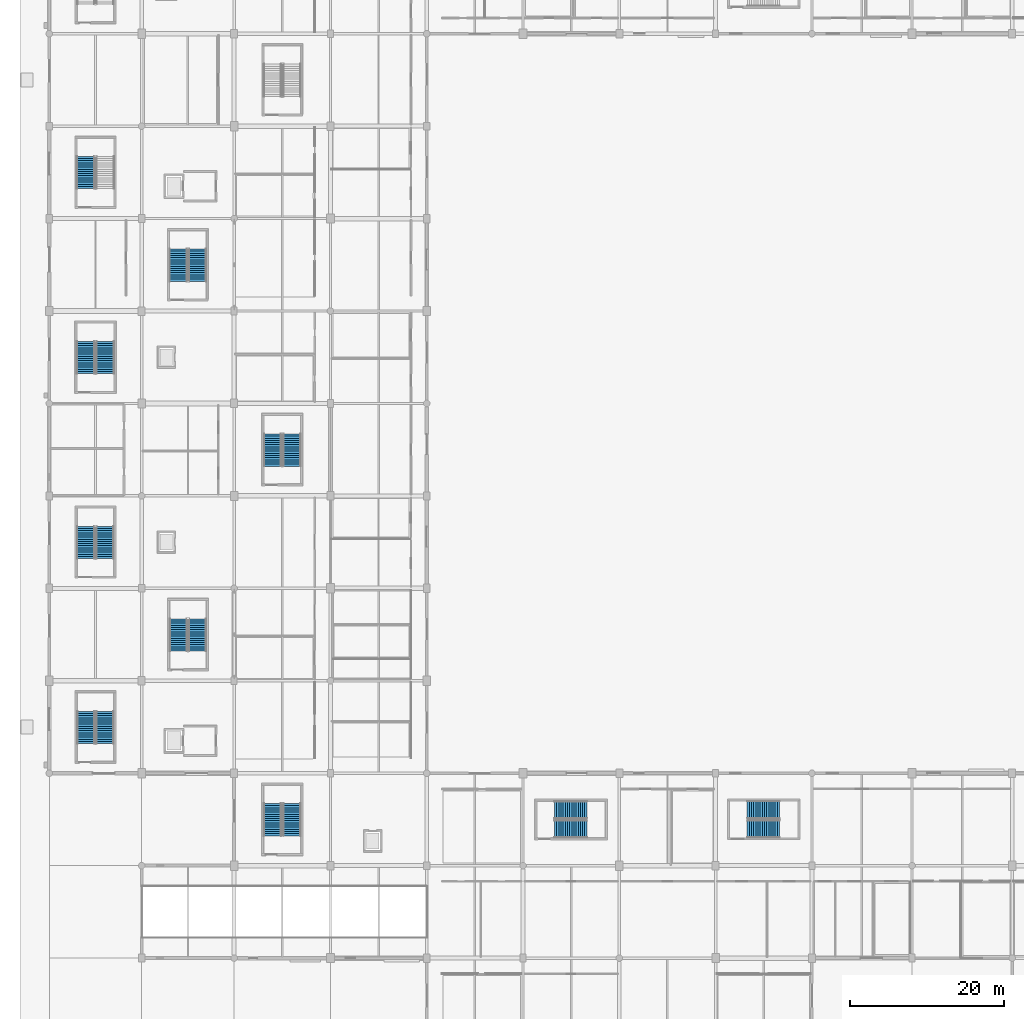
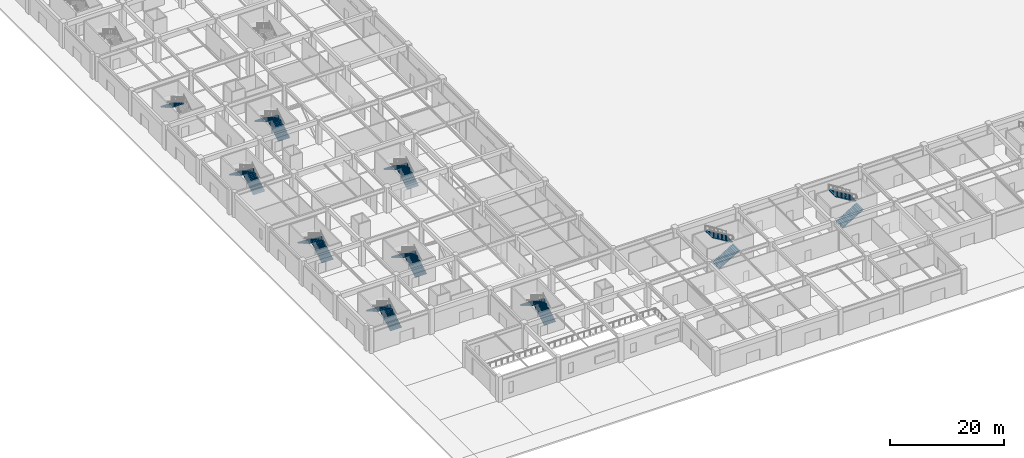
# One storey, part 35 of 69: 19 stair flights, 10 elements without a shape of their own.
"""IFC4 building model written with IfcOpenShell, lengths in metres."""

from ifc_helpers import new_model, si_unit, direction, frame, origin, place, context, subcontext, project, spatial, polyline, outline, extrude, material, type_object, element, aggregate, save


model = new_model("IFC4")

# Units and contexts
model_context = context("Model", 3, precision=1e-05, world=origin(), true_north=direction((0.0, 1.0)))
body_context = subcontext(model_context, "Body", "Model", "MODEL_VIEW")
ifc_project = project(units=[si_unit("LENGTHUNIT", "METRE"), si_unit("AREAUNIT", "SQUARE_METRE"), si_unit("VOLUMEUNIT", "CUBIC_METRE"), si_unit("PLANEANGLEUNIT", "RADIAN"), si_unit("MASSUNIT", "GRAM", prefix="KILO")], contexts=[model_context])

# Site, building, storey
site_placement = place(None, origin())
site = spatial("IfcSite", under=ifc_project, at=site_placement, CompositionType="ELEMENT")
building_placement = place(site_placement, origin())
building = spatial("IfcBuilding", under=site, at=building_placement, Name="Kazenohara Klinker Stadium", CompositionType="ELEMENT")
storey_placement = place(building_placement, origin())
storey = spatial("IfcBuildingStorey", under=building, at=storey_placement, Name="L00", CompositionType="ELEMENT", Elevation=0.0)

# Stair, stair flights
ifc_material = material(Name="Concrete C40/50", Category="concrete")
stair_type_1 = type_object("IfcStairType", Name="STR-DL-2300", PredefinedType="HALF_TURN_STAIR", material=ifc_material)
stair_1_placement = place(storey_placement, origin())
stair_1 = element("IfcStair", 1, at=stair_1_placement, inside=storey, type_object=stair_type_1, Name="L00 Enclosed escape stair ST01", PredefinedType="HALF_TURN_STAIR")
stair_flight_type_1 = type_object("IfcStairFlightType", Name="FLT-DL-2300-5400", PredefinedType="STRAIGHT", material=ifc_material)
stair_flight_1_placement = place(storey_placement, frame((7.25, 39.840087890625, 0.0), z_axis=(0.0, 0.0, 1.0), x_axis=(0.0, 1.0, 0.0)))
stair_flight_1 = element("IfcStairFlight", 2, at=stair_flight_1_placement, type_object=stair_flight_type_1, Name="ST01 flight 1", NumberOfRisers=16, NumberOfTreads=15, PredefinedType="STRAIGHT", RiserHeight=0.16875, TreadLength=0.28, context=body_context, shape_type="SweptSolid", body=[
    extrude(outline(polyline([(0.0, 0.0), (0.0, 0.168701171875), (0.280029296875, 0.168701171875), (0.280029296875, 0.33740234375), (0.56005859375, 0.33740234375), (0.56005859375, 0.50634765625), (0.840087890625, 0.50634765625), (0.840087890625, 0.675048828125), (1.1201171875, 0.675048828125), (1.1201171875, 0.84375), (1.39990234375, 0.84375), (1.39990234375, 1.012451171875), (1.679931640625, 1.012451171875), (1.679931640625, 1.18115234375), (1.9599609375, 1.18115234375), (1.9599609375, 1.35009765625), (2.239990234375, 1.35009765625), (2.239990234375, 1.518798828125), (2.52001953125, 1.518798828125), (2.52001953125, 1.6875), (2.800048828125, 1.6875), (2.800048828125, 1.856201171875), (3.080078125, 1.856201171875), (3.080078125, 2.02490234375), (3.360107421875, 2.02490234375), (3.360107421875, 2.19384765625), (3.639892578125, 2.19384765625), (3.639892578125, 2.362548828125), (3.919921875, 2.362548828125), (3.919921875, 2.53125), (4.199951171875, 2.53125), (4.199951171875, 2.699951171875), (4.199951171875, 2.356201171875), (0.29052734375, 0.0), (0.0, 0.0)])), frame((0.0, 1.14990234375, 0.0), z_axis=(0.0, -1.0, 0.0), x_axis=(1.0, 0.0, 0.0)), (0.0, 0.0, 1.0), 2.300048828125),
])
stair_flight_2_placement = place(storey_placement, frame((4.75, 44.0400390625, 2.699951171875), z_axis=(0.0, 0.0, 1.0), x_axis=(0.0, -1.0, 0.0)))
stair_flight_2 = element("IfcStairFlight", 3, at=stair_flight_2_placement, type_object=stair_flight_type_1, Name="ST01 flight 2", NumberOfRisers=16, NumberOfTreads=15, PredefinedType="STRAIGHT", RiserHeight=0.16875, TreadLength=0.28, context=body_context, shape_type="SweptSolid", body=[
    extrude(outline(polyline([(0.0, 0.0), (0.0, 0.168701171875), (0.280029296875, 0.168701171875), (0.280029296875, 0.33740234375), (0.56005859375, 0.33740234375), (0.56005859375, 0.50634765625), (0.840087890625, 0.50634765625), (0.840087890625, 0.675048828125), (1.1201171875, 0.675048828125), (1.1201171875, 0.84375), (1.39990234375, 0.84375), (1.39990234375, 1.012451171875), (1.679931640625, 1.012451171875), (1.679931640625, 1.18115234375), (1.9599609375, 1.18115234375), (1.9599609375, 1.35009765625), (2.239990234375, 1.35009765625), (2.239990234375, 1.518798828125), (2.52001953125, 1.518798828125), (2.52001953125, 1.6875), (2.800048828125, 1.6875), (2.800048828125, 1.856201171875), (3.080078125, 1.856201171875), (3.080078125, 2.02490234375), (3.360107421875, 2.02490234375), (3.360107421875, 2.19384765625), (3.639892578125, 2.19384765625), (3.639892578125, 2.362548828125), (3.919921875, 2.362548828125), (3.919921875, 2.53125), (4.199951171875, 2.53125), (4.199951171875, 2.699951171875), (4.199951171875, 2.356201171875), (0.29052734375, 0.0), (0.0, 0.0)])), frame((0.0, 1.14990234375, 0.0), z_axis=(0.0, -1.0, 0.0), x_axis=(1.0, 0.0, 0.0)), (0.0, 0.0, 1.0), 2.300048828125),
])
aggregate(stair_1, [stair_flight_1, stair_flight_2])

stair_2_placement = place(storey_placement, origin())
stair_2 = element("IfcStair", 4, at=stair_2_placement, inside=storey, type_object=stair_type_1, Name="L00 Enclosed escape stair ST13", PredefinedType="HALF_TURN_STAIR")
stair_flight_3_placement = place(storey_placement, frame((19.25, 51.840087890625, 0.0), z_axis=(0.0, 0.0, 1.0), x_axis=(0.0, 1.0, 0.0)))
stair_flight_3 = element("IfcStairFlight", 5, at=stair_flight_3_placement, type_object=stair_flight_type_1, Name="ST13 flight 1", NumberOfRisers=16, NumberOfTreads=15, PredefinedType="STRAIGHT", RiserHeight=0.16875, TreadLength=0.28, context=body_context, shape_type="SweptSolid", body=[
    extrude(outline(polyline([(0.0, 0.0), (0.0, 0.168701171875), (0.280029296875, 0.168701171875), (0.280029296875, 0.33740234375), (0.56005859375, 0.33740234375), (0.56005859375, 0.50634765625), (0.840087890625, 0.50634765625), (0.840087890625, 0.675048828125), (1.1201171875, 0.675048828125), (1.1201171875, 0.84375), (1.39990234375, 0.84375), (1.39990234375, 1.012451171875), (1.679931640625, 1.012451171875), (1.679931640625, 1.18115234375), (1.9599609375, 1.18115234375), (1.9599609375, 1.35009765625), (2.239990234375, 1.35009765625), (2.239990234375, 1.518798828125), (2.52001953125, 1.518798828125), (2.52001953125, 1.6875), (2.800048828125, 1.6875), (2.800048828125, 1.856201171875), (3.080078125, 1.856201171875), (3.080078125, 2.02490234375), (3.360107421875, 2.02490234375), (3.360107421875, 2.19384765625), (3.639892578125, 2.19384765625), (3.639892578125, 2.362548828125), (3.919921875, 2.362548828125), (3.919921875, 2.53125), (4.199951171875, 2.53125), (4.199951171875, 2.699951171875), (4.199951171875, 2.356201171875), (0.29052734375, 0.0), (0.0, 0.0)])), frame((0.0, 1.14990234375, 0.0), z_axis=(0.0, -1.0, 0.0), x_axis=(1.0, 0.0, 0.0)), (0.0, 0.0, 1.0), 2.300048828125),
])
stair_flight_4_placement = place(storey_placement, frame((16.75, 56.0400390625, 2.699951171875), z_axis=(0.0, 0.0, 1.0), x_axis=(0.0, -1.0, 0.0)))
stair_flight_4 = element("IfcStairFlight", 6, at=stair_flight_4_placement, type_object=stair_flight_type_1, Name="ST13 flight 2", NumberOfRisers=16, NumberOfTreads=15, PredefinedType="STRAIGHT", RiserHeight=0.16875, TreadLength=0.28, context=body_context, shape_type="SweptSolid", body=[
    extrude(outline(polyline([(0.0, 0.0), (0.0, 0.168701171875), (0.280029296875, 0.168701171875), (0.280029296875, 0.33740234375), (0.56005859375, 0.33740234375), (0.56005859375, 0.50634765625), (0.840087890625, 0.50634765625), (0.840087890625, 0.675048828125), (1.1201171875, 0.675048828125), (1.1201171875, 0.84375), (1.39990234375, 0.84375), (1.39990234375, 1.012451171875), (1.679931640625, 1.012451171875), (1.679931640625, 1.18115234375), (1.9599609375, 1.18115234375), (1.9599609375, 1.35009765625), (2.239990234375, 1.35009765625), (2.239990234375, 1.518798828125), (2.52001953125, 1.518798828125), (2.52001953125, 1.6875), (2.800048828125, 1.6875), (2.800048828125, 1.856201171875), (3.080078125, 1.856201171875), (3.080078125, 2.02490234375), (3.360107421875, 2.02490234375), (3.360107421875, 2.19384765625), (3.639892578125, 2.19384765625), (3.639892578125, 2.362548828125), (3.919921875, 2.362548828125), (3.919921875, 2.53125), (4.199951171875, 2.53125), (4.199951171875, 2.699951171875), (4.199951171875, 2.356201171875), (0.29052734375, 0.0), (0.0, 0.0)])), frame((0.0, 1.14990234375, 0.0), z_axis=(0.0, -1.0, 0.0), x_axis=(1.0, 0.0, 0.0)), (0.0, 0.0, 1.0), 2.300048828125),
])
aggregate(stair_2, [stair_flight_3, stair_flight_4])

stair_3_placement = place(storey_placement, origin())
stair_3 = element("IfcStair", 7, at=stair_3_placement, inside=storey, type_object=stair_type_1, Name="L00 Enclosed escape stair ST17", PredefinedType="HALF_TURN_STAIR")
stair_flight_5_placement = place(storey_placement, frame((31.5, 75.840087890625, 0.0), z_axis=(0.0, 0.0, 1.0), x_axis=(0.0, 1.0, 0.0)))
stair_flight_5 = element("IfcStairFlight", 8, at=stair_flight_5_placement, type_object=stair_flight_type_1, Name="ST17 flight 1", NumberOfRisers=16, NumberOfTreads=15, PredefinedType="STRAIGHT", RiserHeight=0.16875, TreadLength=0.28, context=body_context, shape_type="SweptSolid", body=[
    extrude(outline(polyline([(0.0, 0.0), (0.0, 0.168701171875), (0.280029296875, 0.168701171875), (0.280029296875, 0.33740234375), (0.56005859375, 0.33740234375), (0.56005859375, 0.50634765625), (0.840087890625, 0.50634765625), (0.840087890625, 0.675048828125), (1.1201171875, 0.675048828125), (1.1201171875, 0.84375), (1.39990234375, 0.84375), (1.39990234375, 1.012451171875), (1.679931640625, 1.012451171875), (1.679931640625, 1.18115234375), (1.9599609375, 1.18115234375), (1.9599609375, 1.35009765625), (2.239990234375, 1.35009765625), (2.239990234375, 1.518798828125), (2.52001953125, 1.518798828125), (2.52001953125, 1.6875), (2.800048828125, 1.6875), (2.800048828125, 1.856201171875), (3.080078125, 1.856201171875), (3.080078125, 2.02490234375), (3.360107421875, 2.02490234375), (3.360107421875, 2.19384765625), (3.639892578125, 2.19384765625), (3.639892578125, 2.362548828125), (3.919921875, 2.362548828125), (3.919921875, 2.53125), (4.199951171875, 2.53125), (4.199951171875, 2.699951171875), (4.199951171875, 2.356201171875), (0.29052734375, 0.0), (0.0, 0.0)])), frame((0.0, 1.14990234375, 0.0), z_axis=(0.0, -1.0, 0.0), x_axis=(1.0, 0.0, 0.0)), (0.0, 0.0, 1.0), 2.300048828125),
])
stair_flight_6_placement = place(storey_placement, frame((29.0, 80.0400390625, 2.699951171875), z_axis=(0.0, 0.0, 1.0), x_axis=(0.0, -1.0, 0.0)))
stair_flight_6 = element("IfcStairFlight", 9, at=stair_flight_6_placement, type_object=stair_flight_type_1, Name="ST17 flight 2", NumberOfRisers=16, NumberOfTreads=15, PredefinedType="STRAIGHT", RiserHeight=0.16875, TreadLength=0.28, context=body_context, shape_type="SweptSolid", body=[
    extrude(outline(polyline([(0.0, 0.0), (0.0, 0.168701171875), (0.280029296875, 0.168701171875), (0.280029296875, 0.33740234375), (0.56005859375, 0.33740234375), (0.56005859375, 0.50634765625), (0.840087890625, 0.50634765625), (0.840087890625, 0.675048828125), (1.1201171875, 0.675048828125), (1.1201171875, 0.84375), (1.39990234375, 0.84375), (1.39990234375, 1.012451171875), (1.679931640625, 1.012451171875), (1.679931640625, 1.18115234375), (1.9599609375, 1.18115234375), (1.9599609375, 1.35009765625), (2.239990234375, 1.35009765625), (2.239990234375, 1.518798828125), (2.52001953125, 1.518798828125), (2.52001953125, 1.6875), (2.800048828125, 1.6875), (2.800048828125, 1.856201171875), (3.080078125, 1.856201171875), (3.080078125, 2.02490234375), (3.360107421875, 2.02490234375), (3.360107421875, 2.19384765625), (3.639892578125, 2.19384765625), (3.639892578125, 2.362548828125), (3.919921875, 2.362548828125), (3.919921875, 2.53125), (4.199951171875, 2.53125), (4.199951171875, 2.699951171875), (4.199951171875, 2.356201171875), (0.29052734375, 0.0), (0.0, 0.0)])), frame((0.0, 1.14990234375, 0.0), z_axis=(0.0, -1.0, 0.0), x_axis=(1.0, 0.0, 0.0)), (0.0, 0.0, 1.0), 2.300048828125),
])
aggregate(stair_3, [stair_flight_5, stair_flight_6])

stair_4_placement = place(storey_placement, origin())
stair_4 = element("IfcStair", 10, at=stair_4_placement, inside=storey, type_object=stair_type_1, Name="L00 Enclosed escape stair ST25", PredefinedType="HALF_TURN_STAIR")
stair_flight_7_placement = place(storey_placement, frame((65.590087890625, 28.75, 0.0), z_axis=(0.0, 0.0, 1.0), x_axis=(1.0, 0.0, 0.0)))
stair_flight_7 = element("IfcStairFlight", 11, at=stair_flight_7_placement, type_object=stair_flight_type_1, Name="ST25 flight 1", NumberOfRisers=16, NumberOfTreads=15, PredefinedType="STRAIGHT", RiserHeight=0.16875, TreadLength=0.28, context=body_context, shape_type="SweptSolid", body=[
    extrude(outline(polyline([(0.0, 0.0), (0.0, 0.168701171875), (0.280029296875, 0.168701171875), (0.280029296875, 0.33740234375), (0.56005859375, 0.33740234375), (0.56005859375, 0.50634765625), (0.840087890625, 0.50634765625), (0.840087890625, 0.675048828125), (1.1201171875, 0.675048828125), (1.1201171875, 0.84375), (1.39990234375, 0.84375), (1.39990234375, 1.012451171875), (1.679931640625, 1.012451171875), (1.679931640625, 1.18115234375), (1.9599609375, 1.18115234375), (1.9599609375, 1.35009765625), (2.239990234375, 1.35009765625), (2.239990234375, 1.518798828125), (2.52001953125, 1.518798828125), (2.52001953125, 1.6875), (2.800048828125, 1.6875), (2.800048828125, 1.856201171875), (3.080078125, 1.856201171875), (3.080078125, 2.02490234375), (3.360107421875, 2.02490234375), (3.360107421875, 2.19384765625), (3.639892578125, 2.19384765625), (3.639892578125, 2.362548828125), (3.919921875, 2.362548828125), (3.919921875, 2.53125), (4.199951171875, 2.53125), (4.199951171875, 2.699951171875), (4.199951171875, 2.356201171875), (0.29052734375, 0.0), (0.0, 0.0)])), frame((0.0, 1.14990234375, 0.0), z_axis=(0.0, -1.0, 0.0), x_axis=(1.0, 0.0, 0.0)), (0.0, 0.0, 1.0), 2.300048828125),
])
stair_flight_8_placement = place(storey_placement, frame((69.7900390625, 31.25, 2.699951171875), z_axis=(0.0, 0.0, 1.0), x_axis=(-1.0, 0.0, 0.0)))
stair_flight_8 = element("IfcStairFlight", 12, at=stair_flight_8_placement, type_object=stair_flight_type_1, Name="ST25 flight 2", NumberOfRisers=16, NumberOfTreads=15, PredefinedType="STRAIGHT", RiserHeight=0.16875, TreadLength=0.28, context=body_context, shape_type="SweptSolid", body=[
    extrude(outline(polyline([(0.0, 0.0), (0.0, 0.168701171875), (0.280029296875, 0.168701171875), (0.280029296875, 0.33740234375), (0.56005859375, 0.33740234375), (0.56005859375, 0.50634765625), (0.840087890625, 0.50634765625), (0.840087890625, 0.675048828125), (1.1201171875, 0.675048828125), (1.1201171875, 0.84375), (1.39990234375, 0.84375), (1.39990234375, 1.012451171875), (1.679931640625, 1.012451171875), (1.679931640625, 1.18115234375), (1.9599609375, 1.18115234375), (1.9599609375, 1.35009765625), (2.239990234375, 1.35009765625), (2.239990234375, 1.518798828125), (2.52001953125, 1.518798828125), (2.52001953125, 1.6875), (2.800048828125, 1.6875), (2.800048828125, 1.856201171875), (3.080078125, 1.856201171875), (3.080078125, 2.02490234375), (3.360107421875, 2.02490234375), (3.360107421875, 2.19384765625), (3.639892578125, 2.19384765625), (3.639892578125, 2.362548828125), (3.919921875, 2.362548828125), (3.919921875, 2.53125), (4.199951171875, 2.53125), (4.199951171875, 2.699951171875), (4.199951171875, 2.356201171875), (0.29052734375, 0.0), (0.0, 0.0)])), frame((0.0, 1.14990234375, 0.0), z_axis=(0.0, -1.0, 0.0), x_axis=(1.0, 0.0, 0.0)), (0.0, 0.0, 1.0), 2.300048828125),
])
aggregate(stair_4, [stair_flight_7, stair_flight_8])

stair_type_2 = type_object("IfcStairType", Name="STR-DL-2310", PredefinedType="HALF_TURN_STAIR", material=ifc_material)
stair_5_placement = place(storey_placement, origin())
stair_5 = element("IfcStair", 13, at=stair_5_placement, inside=storey, type_object=stair_type_2, Name="L00 Enclosed escape stair ST02", PredefinedType="HALF_TURN_STAIR")
stair_flight_type_2 = type_object("IfcStairFlightType", Name="FLT-DL-2310-5400", PredefinedType="STRAIGHT", material=ifc_material)
stair_flight_9_placement = place(storey_placement, frame((7.2548828125, 63.85009765625, 0.0), z_axis=(0.0, 0.0, 1.0), x_axis=(0.0, 1.0, 0.0)))
stair_flight_9 = element("IfcStairFlight", 14, at=stair_flight_9_placement, type_object=stair_flight_type_2, Name="ST02 flight 1", NumberOfRisers=16, NumberOfTreads=15, PredefinedType="STRAIGHT", RiserHeight=0.16875, TreadLength=0.28, context=body_context, shape_type="SweptSolid", body=[
    extrude(outline(polyline([(0.0, 0.0), (0.0, 0.168701171875), (0.280029296875, 0.168701171875), (0.280029296875, 0.33740234375), (0.56005859375, 0.33740234375), (0.56005859375, 0.50634765625), (0.840087890625, 0.50634765625), (0.840087890625, 0.675048828125), (1.1201171875, 0.675048828125), (1.1201171875, 0.84375), (1.39990234375, 0.84375), (1.39990234375, 1.012451171875), (1.679931640625, 1.012451171875), (1.679931640625, 1.18115234375), (1.9599609375, 1.18115234375), (1.9599609375, 1.35009765625), (2.239990234375, 1.35009765625), (2.239990234375, 1.518798828125), (2.52001953125, 1.518798828125), (2.52001953125, 1.6875), (2.800048828125, 1.6875), (2.800048828125, 1.856201171875), (3.080078125, 1.856201171875), (3.080078125, 2.02490234375), (3.360107421875, 2.02490234375), (3.360107421875, 2.19384765625), (3.639892578125, 2.19384765625), (3.639892578125, 2.362548828125), (3.919921875, 2.362548828125), (3.919921875, 2.53125), (4.199951171875, 2.53125), (4.199951171875, 2.699951171875), (4.199951171875, 2.356201171875), (0.29052734375, 0.0), (0.0, 0.0)])), frame((0.0, 1.155029296875, 0.0), z_axis=(0.0, -1.0, 0.0), x_axis=(1.0, 0.0, 0.0)), (0.0, 0.0, 1.0), 2.31005859375),
])
stair_flight_10_placement = place(storey_placement, frame((4.7451171875, 68.050048828125, 2.699951171875), z_axis=(0.0, 0.0, 1.0), x_axis=(0.0, -1.0, 0.0)))
stair_flight_10 = element("IfcStairFlight", 15, at=stair_flight_10_placement, type_object=stair_flight_type_2, Name="ST02 flight 2", NumberOfRisers=16, NumberOfTreads=15, PredefinedType="STRAIGHT", RiserHeight=0.16875, TreadLength=0.28, context=body_context, shape_type="SweptSolid", body=[
    extrude(outline(polyline([(0.0, 0.0), (0.0, 0.168701171875), (0.280029296875, 0.168701171875), (0.280029296875, 0.33740234375), (0.56005859375, 0.33740234375), (0.56005859375, 0.50634765625), (0.840087890625, 0.50634765625), (0.840087890625, 0.675048828125), (1.1201171875, 0.675048828125), (1.1201171875, 0.84375), (1.39990234375, 0.84375), (1.39990234375, 1.012451171875), (1.679931640625, 1.012451171875), (1.679931640625, 1.18115234375), (1.9599609375, 1.18115234375), (1.9599609375, 1.35009765625), (2.239990234375, 1.35009765625), (2.239990234375, 1.518798828125), (2.52001953125, 1.518798828125), (2.52001953125, 1.6875), (2.800048828125, 1.6875), (2.800048828125, 1.856201171875), (3.080078125, 1.856201171875), (3.080078125, 2.02490234375), (3.360107421875, 2.02490234375), (3.360107421875, 2.19384765625), (3.639892578125, 2.19384765625), (3.639892578125, 2.362548828125), (3.919921875, 2.362548828125), (3.919921875, 2.53125), (4.199951171875, 2.53125), (4.199951171875, 2.699951171875), (4.199951171875, 2.356201171875), (0.29052734375, 0.0), (0.0, 0.0)])), frame((0.0, 1.155029296875, 0.0), z_axis=(0.0, -1.0, 0.0), x_axis=(1.0, 0.0, 0.0)), (0.0, 0.0, 1.0), 2.31005859375),
])
aggregate(stair_5, [stair_flight_9, stair_flight_10])

stair_6_placement = place(storey_placement, origin())
stair_6 = element("IfcStair", 16, at=stair_6_placement, inside=storey, type_object=stair_type_2, Name="L00 Enclosed escape stair ST14", PredefinedType="HALF_TURN_STAIR")
stair_flight_11_placement = place(storey_placement, frame((19.2548828125, 99.85009765625, 0.0), z_axis=(0.0, 0.0, 1.0), x_axis=(0.0, 1.0, 0.0)))
stair_flight_11 = element("IfcStairFlight", 17, at=stair_flight_11_placement, type_object=stair_flight_type_2, Name="ST14 flight 1", NumberOfRisers=16, NumberOfTreads=15, PredefinedType="STRAIGHT", RiserHeight=0.16875, TreadLength=0.28, context=body_context, shape_type="SweptSolid", body=[
    extrude(outline(polyline([(0.0, 0.0), (0.0, 0.168701171875), (0.280029296875, 0.168701171875), (0.280029296875, 0.33740234375), (0.56005859375, 0.33740234375), (0.56005859375, 0.50634765625), (0.840087890625, 0.50634765625), (0.840087890625, 0.675048828125), (1.1201171875, 0.675048828125), (1.1201171875, 0.84375), (1.39990234375, 0.84375), (1.39990234375, 1.012451171875), (1.679931640625, 1.012451171875), (1.679931640625, 1.18115234375), (1.9599609375, 1.18115234375), (1.9599609375, 1.35009765625), (2.239990234375, 1.35009765625), (2.239990234375, 1.518798828125), (2.52001953125, 1.518798828125), (2.52001953125, 1.6875), (2.800048828125, 1.6875), (2.800048828125, 1.856201171875), (3.080078125, 1.856201171875), (3.080078125, 2.02490234375), (3.360107421875, 2.02490234375), (3.360107421875, 2.19384765625), (3.639892578125, 2.19384765625), (3.639892578125, 2.362548828125), (3.919921875, 2.362548828125), (3.919921875, 2.53125), (4.199951171875, 2.53125), (4.199951171875, 2.699951171875), (4.199951171875, 2.356201171875), (0.29052734375, 0.0), (0.0, 0.0)])), frame((0.0, 1.155029296875, 0.0), z_axis=(0.0, -1.0, 0.0), x_axis=(1.0, 0.0, 0.0)), (0.0, 0.0, 1.0), 2.31005859375),
])
stair_flight_12_placement = place(storey_placement, frame((16.7451171875, 104.050048828125, 2.699951171875), z_axis=(0.0, 0.0, 1.0), x_axis=(0.0, -1.0, 0.0)))
stair_flight_12 = element("IfcStairFlight", 18, at=stair_flight_12_placement, type_object=stair_flight_type_2, Name="ST14 flight 2", NumberOfRisers=16, NumberOfTreads=15, PredefinedType="STRAIGHT", RiserHeight=0.16875, TreadLength=0.28, context=body_context, shape_type="SweptSolid", body=[
    extrude(outline(polyline([(0.0, 0.0), (0.0, 0.168701171875), (0.280029296875, 0.168701171875), (0.280029296875, 0.33740234375), (0.56005859375, 0.33740234375), (0.56005859375, 0.50634765625), (0.840087890625, 0.50634765625), (0.840087890625, 0.675048828125), (1.1201171875, 0.675048828125), (1.1201171875, 0.84375), (1.39990234375, 0.84375), (1.39990234375, 1.012451171875), (1.679931640625, 1.012451171875), (1.679931640625, 1.18115234375), (1.9599609375, 1.18115234375), (1.9599609375, 1.35009765625), (2.239990234375, 1.35009765625), (2.239990234375, 1.518798828125), (2.52001953125, 1.518798828125), (2.52001953125, 1.6875), (2.800048828125, 1.6875), (2.800048828125, 1.856201171875), (3.080078125, 1.856201171875), (3.080078125, 2.02490234375), (3.360107421875, 2.02490234375), (3.360107421875, 2.19384765625), (3.639892578125, 2.19384765625), (3.639892578125, 2.362548828125), (3.919921875, 2.362548828125), (3.919921875, 2.53125), (4.199951171875, 2.53125), (4.199951171875, 2.699951171875), (4.199951171875, 2.356201171875), (0.29052734375, 0.0), (0.0, 0.0)])), frame((0.0, 1.155029296875, 0.0), z_axis=(0.0, -1.0, 0.0), x_axis=(1.0, 0.0, 0.0)), (0.0, 0.0, 1.0), 2.31005859375),
])
aggregate(stair_6, [stair_flight_11, stair_flight_12])

stair_7_placement = place(storey_placement, origin())
stair_7 = element("IfcStair", 19, at=stair_7_placement, inside=storey, type_object=stair_type_2, Name="L00 Enclosed escape stair ST26", PredefinedType="HALF_TURN_STAIR")
stair_flight_13_placement = place(storey_placement, frame((90.60009765625, 28.7451171875, 0.0), z_axis=(0.0, 0.0, 1.0), x_axis=(1.0, 0.0, 0.0)))
stair_flight_13 = element("IfcStairFlight", 20, at=stair_flight_13_placement, type_object=stair_flight_type_2, Name="ST26 flight 1", NumberOfRisers=16, NumberOfTreads=15, PredefinedType="STRAIGHT", RiserHeight=0.16875, TreadLength=0.28, context=body_context, shape_type="SweptSolid", body=[
    extrude(outline(polyline([(0.0, 0.0), (0.0, 0.168701171875), (0.280029296875, 0.168701171875), (0.280029296875, 0.33740234375), (0.56005859375, 0.33740234375), (0.56005859375, 0.50634765625), (0.840087890625, 0.50634765625), (0.840087890625, 0.675048828125), (1.1201171875, 0.675048828125), (1.1201171875, 0.84375), (1.39990234375, 0.84375), (1.39990234375, 1.012451171875), (1.679931640625, 1.012451171875), (1.679931640625, 1.18115234375), (1.9599609375, 1.18115234375), (1.9599609375, 1.35009765625), (2.239990234375, 1.35009765625), (2.239990234375, 1.518798828125), (2.52001953125, 1.518798828125), (2.52001953125, 1.6875), (2.800048828125, 1.6875), (2.800048828125, 1.856201171875), (3.080078125, 1.856201171875), (3.080078125, 2.02490234375), (3.360107421875, 2.02490234375), (3.360107421875, 2.19384765625), (3.639892578125, 2.19384765625), (3.639892578125, 2.362548828125), (3.919921875, 2.362548828125), (3.919921875, 2.53125), (4.199951171875, 2.53125), (4.199951171875, 2.699951171875), (4.199951171875, 2.356201171875), (0.29052734375, 0.0), (0.0, 0.0)])), frame((0.0, 1.155029296875, 0.0), z_axis=(0.0, -1.0, 0.0), x_axis=(1.0, 0.0, 0.0)), (0.0, 0.0, 1.0), 2.31005859375),
])
stair_flight_14_placement = place(storey_placement, frame((94.800048828125, 31.2548828125, 2.699951171875), z_axis=(0.0, 0.0, 1.0), x_axis=(-1.0, 0.0, 0.0)))
stair_flight_14 = element("IfcStairFlight", 21, at=stair_flight_14_placement, type_object=stair_flight_type_2, Name="ST26 flight 2", NumberOfRisers=16, NumberOfTreads=15, PredefinedType="STRAIGHT", RiserHeight=0.16875, TreadLength=0.28, context=body_context, shape_type="SweptSolid", body=[
    extrude(outline(polyline([(0.0, 0.0), (0.0, 0.168701171875), (0.280029296875, 0.168701171875), (0.280029296875, 0.33740234375), (0.56005859375, 0.33740234375), (0.56005859375, 0.50634765625), (0.840087890625, 0.50634765625), (0.840087890625, 0.675048828125), (1.1201171875, 0.675048828125), (1.1201171875, 0.84375), (1.39990234375, 0.84375), (1.39990234375, 1.012451171875), (1.679931640625, 1.012451171875), (1.679931640625, 1.18115234375), (1.9599609375, 1.18115234375), (1.9599609375, 1.35009765625), (2.239990234375, 1.35009765625), (2.239990234375, 1.518798828125), (2.52001953125, 1.518798828125), (2.52001953125, 1.6875), (2.800048828125, 1.6875), (2.800048828125, 1.856201171875), (3.080078125, 1.856201171875), (3.080078125, 2.02490234375), (3.360107421875, 2.02490234375), (3.360107421875, 2.19384765625), (3.639892578125, 2.19384765625), (3.639892578125, 2.362548828125), (3.919921875, 2.362548828125), (3.919921875, 2.53125), (4.199951171875, 2.53125), (4.199951171875, 2.699951171875), (4.199951171875, 2.356201171875), (0.29052734375, 0.0), (0.0, 0.0)])), frame((0.0, 1.155029296875, 0.0), z_axis=(0.0, -1.0, 0.0), x_axis=(1.0, 0.0, 0.0)), (0.0, 0.0, 1.0), 2.31005859375),
])
aggregate(stair_7, [stair_flight_13, stair_flight_14])

stair_type_3 = type_object("IfcStairType", Name="STR-DL-2330", PredefinedType="HALF_TURN_STAIR", material=ifc_material)
stair_8_placement = place(storey_placement, origin())
stair_8 = element("IfcStair", 22, at=stair_8_placement, inside=storey, type_object=stair_type_3, Name="L00 Enclosed escape stair ST03", PredefinedType="HALF_TURN_STAIR")
stair_flight_type_3 = type_object("IfcStairFlightType", Name="FLT-DL-2330-5400", PredefinedType="STRAIGHT", material=ifc_material)
stair_flight_15_placement = place(storey_placement, frame((7.264892578125, 87.8701171875, 0.0), z_axis=(0.0, 0.0, 1.0), x_axis=(0.0, 1.0, 0.0)))
stair_flight_15 = element("IfcStairFlight", 23, at=stair_flight_15_placement, type_object=stair_flight_type_3, Name="ST03 flight 1", NumberOfRisers=16, NumberOfTreads=15, PredefinedType="STRAIGHT", RiserHeight=0.16875, TreadLength=0.28, context=body_context, shape_type="SweptSolid", body=[
    extrude(outline(polyline([(0.0, 0.0), (0.0, 0.168701171875), (0.280029296875, 0.168701171875), (0.280029296875, 0.33740234375), (0.56005859375, 0.33740234375), (0.56005859375, 0.50634765625), (0.840087890625, 0.50634765625), (0.840087890625, 0.675048828125), (1.1201171875, 0.675048828125), (1.1201171875, 0.84375), (1.39990234375, 0.84375), (1.39990234375, 1.012451171875), (1.679931640625, 1.012451171875), (1.679931640625, 1.18115234375), (1.9599609375, 1.18115234375), (1.9599609375, 1.35009765625), (2.239990234375, 1.35009765625), (2.239990234375, 1.518798828125), (2.52001953125, 1.518798828125), (2.52001953125, 1.6875), (2.800048828125, 1.6875), (2.800048828125, 1.856201171875), (3.080078125, 1.856201171875), (3.080078125, 2.02490234375), (3.360107421875, 2.02490234375), (3.360107421875, 2.19384765625), (3.639892578125, 2.19384765625), (3.639892578125, 2.362548828125), (3.919921875, 2.362548828125), (3.919921875, 2.53125), (4.199951171875, 2.53125), (4.199951171875, 2.699951171875), (4.199951171875, 2.356201171875), (0.29052734375, 0.0), (0.0, 0.0)])), frame((0.0, 1.1650390625, 0.0), z_axis=(0.0, -1.0, 0.0), x_axis=(1.0, 0.0, 0.0)), (0.0, 0.0, 1.0), 2.330078125),
])
stair_flight_16_placement = place(storey_placement, frame((4.735107421875, 92.070068359375, 2.699951171875), z_axis=(0.0, 0.0, 1.0), x_axis=(0.0, -1.0, 0.0)))
stair_flight_16 = element("IfcStairFlight", 24, at=stair_flight_16_placement, type_object=stair_flight_type_3, Name="ST03 flight 2", NumberOfRisers=16, NumberOfTreads=15, PredefinedType="STRAIGHT", RiserHeight=0.16875, TreadLength=0.28, context=body_context, shape_type="SweptSolid", body=[
    extrude(outline(polyline([(0.0, 0.0), (0.0, 0.168701171875), (0.280029296875, 0.168701171875), (0.280029296875, 0.33740234375), (0.56005859375, 0.33740234375), (0.56005859375, 0.50634765625), (0.840087890625, 0.50634765625), (0.840087890625, 0.675048828125), (1.1201171875, 0.675048828125), (1.1201171875, 0.84375), (1.39990234375, 0.84375), (1.39990234375, 1.012451171875), (1.679931640625, 1.012451171875), (1.679931640625, 1.18115234375), (1.9599609375, 1.18115234375), (1.9599609375, 1.35009765625), (2.239990234375, 1.35009765625), (2.239990234375, 1.518798828125), (2.52001953125, 1.518798828125), (2.52001953125, 1.6875), (2.800048828125, 1.6875), (2.800048828125, 1.856201171875), (3.080078125, 1.856201171875), (3.080078125, 2.02490234375), (3.360107421875, 2.02490234375), (3.360107421875, 2.19384765625), (3.639892578125, 2.19384765625), (3.639892578125, 2.362548828125), (3.919921875, 2.362548828125), (3.919921875, 2.53125), (4.199951171875, 2.53125), (4.199951171875, 2.699951171875), (4.199951171875, 2.356201171875), (0.29052734375, 0.0), (0.0, 0.0)])), frame((0.0, 1.1650390625, 0.0), z_axis=(0.0, -1.0, 0.0), x_axis=(1.0, 0.0, 0.0)), (0.0, 0.0, 1.0), 2.330078125),
])
aggregate(stair_8, [stair_flight_15, stair_flight_16])

stair_9_placement = place(storey_placement, origin())
stair_9 = element("IfcStair", 25, at=stair_9_placement, inside=storey, type_object=stair_type_3, Name="L00 Enclosed escape stair ST07", PredefinedType="HALF_TURN_STAIR")
stair_flight_17_placement = place(storey_placement, frame((31.514892578125, 27.8701171875, 0.0), z_axis=(0.0, 0.0, 1.0), x_axis=(0.0, 1.0, 0.0)))
stair_flight_17 = element("IfcStairFlight", 26, at=stair_flight_17_placement, type_object=stair_flight_type_3, Name="ST07 flight 1", NumberOfRisers=16, NumberOfTreads=15, PredefinedType="STRAIGHT", RiserHeight=0.16875, TreadLength=0.28, context=body_context, shape_type="SweptSolid", body=[
    extrude(outline(polyline([(0.0, 0.0), (0.0, 0.168701171875), (0.280029296875, 0.168701171875), (0.280029296875, 0.33740234375), (0.56005859375, 0.33740234375), (0.56005859375, 0.50634765625), (0.840087890625, 0.50634765625), (0.840087890625, 0.675048828125), (1.1201171875, 0.675048828125), (1.1201171875, 0.84375), (1.39990234375, 0.84375), (1.39990234375, 1.012451171875), (1.679931640625, 1.012451171875), (1.679931640625, 1.18115234375), (1.9599609375, 1.18115234375), (1.9599609375, 1.35009765625), (2.239990234375, 1.35009765625), (2.239990234375, 1.518798828125), (2.52001953125, 1.518798828125), (2.52001953125, 1.6875), (2.800048828125, 1.6875), (2.800048828125, 1.856201171875), (3.080078125, 1.856201171875), (3.080078125, 2.02490234375), (3.360107421875, 2.02490234375), (3.360107421875, 2.19384765625), (3.639892578125, 2.19384765625), (3.639892578125, 2.362548828125), (3.919921875, 2.362548828125), (3.919921875, 2.53125), (4.199951171875, 2.53125), (4.199951171875, 2.699951171875), (4.199951171875, 2.356201171875), (0.29052734375, 0.0), (0.0, 0.0)])), frame((0.0, 1.1650390625, 0.0), z_axis=(0.0, -1.0, 0.0), x_axis=(1.0, 0.0, 0.0)), (0.0, 0.0, 1.0), 2.330078125),
])
stair_flight_18_placement = place(storey_placement, frame((28.985107421875, 32.070068359375, 2.699951171875), z_axis=(0.0, 0.0, 1.0), x_axis=(0.0, -1.0, 0.0)))
stair_flight_18 = element("IfcStairFlight", 27, at=stair_flight_18_placement, type_object=stair_flight_type_3, Name="ST07 flight 2", NumberOfRisers=16, NumberOfTreads=15, PredefinedType="STRAIGHT", RiserHeight=0.16875, TreadLength=0.28, context=body_context, shape_type="SweptSolid", body=[
    extrude(outline(polyline([(0.0, 0.0), (0.0, 0.168701171875), (0.280029296875, 0.168701171875), (0.280029296875, 0.33740234375), (0.56005859375, 0.33740234375), (0.56005859375, 0.50634765625), (0.840087890625, 0.50634765625), (0.840087890625, 0.675048828125), (1.1201171875, 0.675048828125), (1.1201171875, 0.84375), (1.39990234375, 0.84375), (1.39990234375, 1.012451171875), (1.679931640625, 1.012451171875), (1.679931640625, 1.18115234375), (1.9599609375, 1.18115234375), (1.9599609375, 1.35009765625), (2.239990234375, 1.35009765625), (2.239990234375, 1.518798828125), (2.52001953125, 1.518798828125), (2.52001953125, 1.6875), (2.800048828125, 1.6875), (2.800048828125, 1.856201171875), (3.080078125, 1.856201171875), (3.080078125, 2.02490234375), (3.360107421875, 2.02490234375), (3.360107421875, 2.19384765625), (3.639892578125, 2.19384765625), (3.639892578125, 2.362548828125), (3.919921875, 2.362548828125), (3.919921875, 2.53125), (4.199951171875, 2.53125), (4.199951171875, 2.699951171875), (4.199951171875, 2.356201171875), (0.29052734375, 0.0), (0.0, 0.0)])), frame((0.0, 1.1650390625, 0.0), z_axis=(0.0, -1.0, 0.0), x_axis=(1.0, 0.0, 0.0)), (0.0, 0.0, 1.0), 2.330078125),
])
aggregate(stair_9, [stair_flight_17, stair_flight_18])

# Stair, stair flight
stair_type_4 = type_object("IfcStairType", Name="STR-DL-2340", PredefinedType="HALF_TURN_STAIR", material=ifc_material)
stair_10_placement = place(storey_placement, origin())
stair_10 = element("IfcStair", 28, at=stair_10_placement, inside=storey, type_object=stair_type_4, Name="L00 Enclosed escape stair ST04", PredefinedType="HALF_TURN_STAIR")
stair_flight_type_4 = type_object("IfcStairFlightType", Name="FLT-DL-2340-5400", PredefinedType="STRAIGHT", material=ifc_material)
stair_flight_19_placement = place(storey_placement, frame((4.72998046875, 116.080078125, 2.699951171875), z_axis=(0.0, 0.0, 1.0), x_axis=(0.0, -1.0, 0.0)))
stair_flight_19 = element("IfcStairFlight", 29, at=stair_flight_19_placement, type_object=stair_flight_type_4, Name="ST04 flight 2", NumberOfRisers=16, NumberOfTreads=15, PredefinedType="STRAIGHT", RiserHeight=0.16875, TreadLength=0.28, context=body_context, shape_type="SweptSolid", body=[
    extrude(outline(polyline([(0.0, 0.0), (0.0, 0.168701171875), (0.280029296875, 0.168701171875), (0.280029296875, 0.33740234375), (0.56005859375, 0.33740234375), (0.56005859375, 0.50634765625), (0.840087890625, 0.50634765625), (0.840087890625, 0.675048828125), (1.1201171875, 0.675048828125), (1.1201171875, 0.84375), (1.39990234375, 0.84375), (1.39990234375, 1.012451171875), (1.679931640625, 1.012451171875), (1.679931640625, 1.18115234375), (1.9599609375, 1.18115234375), (1.9599609375, 1.35009765625), (2.239990234375, 1.35009765625), (2.239990234375, 1.518798828125), (2.52001953125, 1.518798828125), (2.52001953125, 1.6875), (2.800048828125, 1.6875), (2.800048828125, 1.856201171875), (3.080078125, 1.856201171875), (3.080078125, 2.02490234375), (3.360107421875, 2.02490234375), (3.360107421875, 2.19384765625), (3.639892578125, 2.19384765625), (3.639892578125, 2.362548828125), (3.919921875, 2.362548828125), (3.919921875, 2.53125), (4.199951171875, 2.53125), (4.199951171875, 2.699951171875), (4.199951171875, 2.356201171875), (0.29052734375, 0.0), (0.0, 0.0)])), frame((0.0, 1.169921875, 0.0), z_axis=(0.0, -1.0, 0.0), x_axis=(1.0, 0.0, 0.0)), (0.0, 0.0, 1.0), 2.340087890625),
])
aggregate(stair_10, [stair_flight_19])

save(model, "model.ifc")
